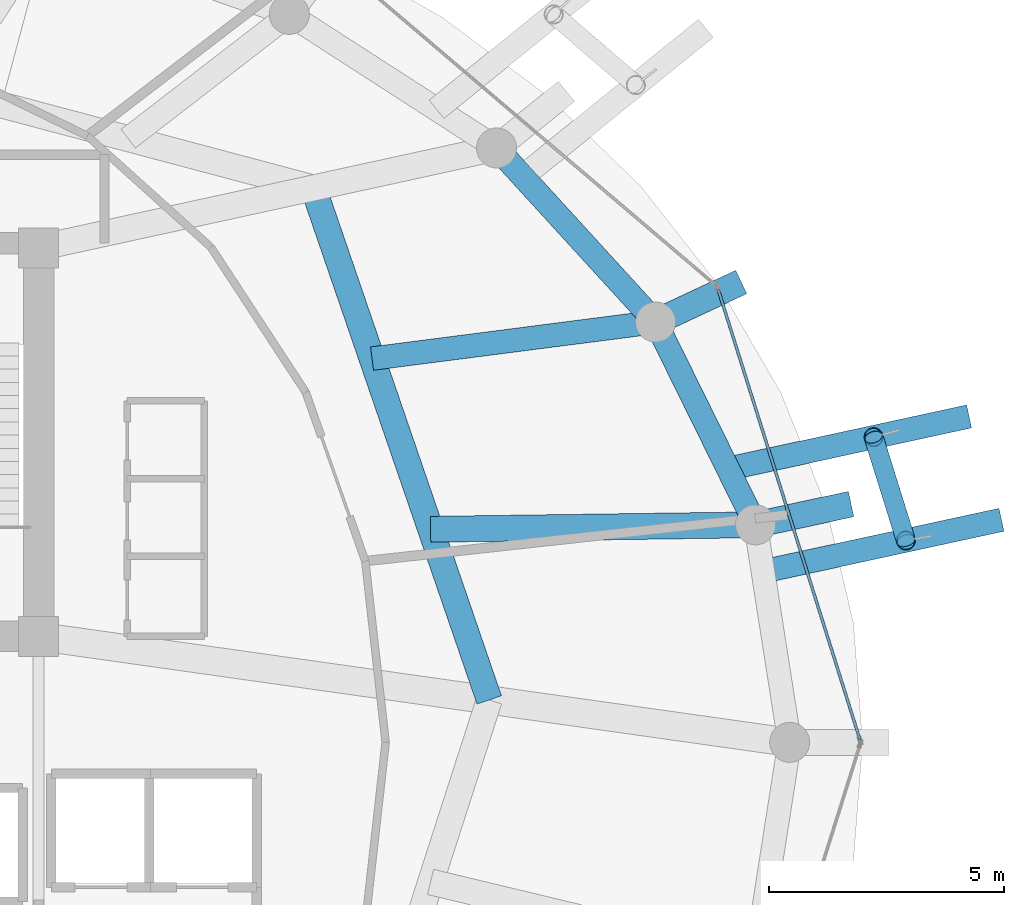
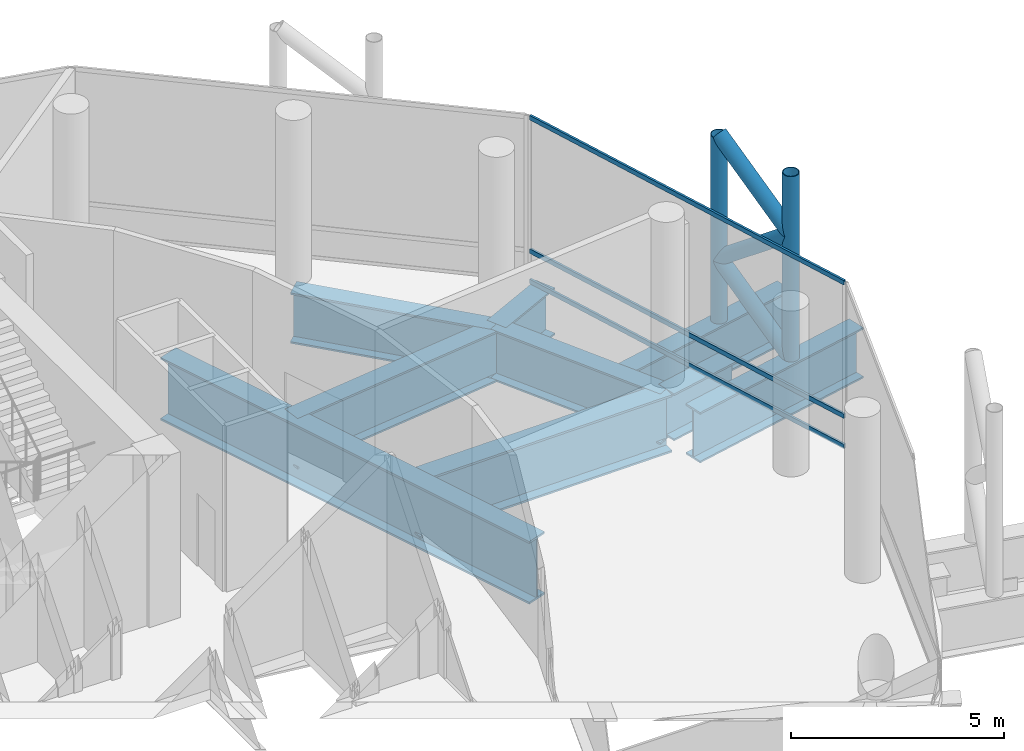
# One storey, part 15 of 31: 9 beams, 8 members, 1 element without a shape of its own.
"""IFC4 building model written with IfcOpenShell, lengths in metres."""

import ifcopenshell
import ifcopenshell.guid

model = None  # the IFC model being written
_history = None  # IfcOwnerHistory: only IFC2X3 demands one
_inside = {}  # id of a spatial element -> (the spatial element, [elements in it])
_under = {}  # id of a project, library or spatial element -> (it, [spatial elements below it])
_declared = {}  # id of a project -> (the project, [libraries it declares])
_typed = {}  # id of a type object -> (the type object, [elements of that type])
_made_of = {}  # id of a material, layer set ... -> (it, [elements and type objects made of it])


def new_model(schema):
    """Start an empty IFC model of exactly this schema.

    Asked for "IFC4X3", IfcOpenShell would pick the latest addendum, in which some entities
    have other attributes; the version numbers below select the first issue.
    IFC2X3 requires an IfcOwnerHistory on every rooted entity: one is made here for all.
    """
    global model, _history
    if schema == "IFC4X3":
        model = ifcopenshell.file(schema_version=(4, 3, 0, 0))
    else:
        model = ifcopenshell.file(schema=schema)
    _inside.clear()
    _under.clear()
    _declared.clear()
    _typed.clear()
    _made_of.clear()
    _history = None
    if model.schema == "IFC2X3":
        org = make("IfcOrganization", Name="unknown")
        user = make(
            "IfcPersonAndOrganization",
            ThePerson=make("IfcPerson", FamilyName="unknown"),
            TheOrganization=org,
        )
        app = make(
            "IfcApplication",
            ApplicationDeveloper=org,
            Version="unknown",
            ApplicationFullName="unknown",
            ApplicationIdentifier="unknown",
        )
        _history = make(
            "IfcOwnerHistory",
            OwningUser=user,
            OwningApplication=app,
            ChangeAction="ADDED",
            CreationDate=0,
        )
    return model


def make(cls, **values):
    """One entity of the class cls with the attributes given. An attribute that is None is left unset."""
    return model.create_entity(
        cls, **{name: value for name, value in values.items() if value is not None}
    )


def rooted(cls, **values):
    """An entity with a GlobalId (a new one), such as an element, a storey or a relation."""
    return make(cls, GlobalId=ifcopenshell.guid.new(), OwnerHistory=_history, **values)


def si_unit(unit_type, name, prefix=None):
    """IfcSIUnit, for example si_unit("LENGTHUNIT", "METRE", prefix="MILLI")."""
    return make("IfcSIUnit", UnitType=unit_type, Prefix=prefix, Name=name)


def assignment(units):
    """IfcUnitAssignment: the units of a project."""
    return None if units is None else make("IfcUnitAssignment", Units=units)


def point(xyz):
    """IfcCartesianPoint."""
    return None if xyz is None else make("IfcCartesianPoint", Coordinates=xyz)


def direction(xyz):
    """IfcDirection."""
    return None if xyz is None else make("IfcDirection", DirectionRatios=xyz)


def frame(location, z_axis=None, x_axis=None):
    """IfcAxis2Placement3D, a coordinate frame: its origin and axes. An axis left out is left unset."""
    return make(
        "IfcAxis2Placement3D",
        Location=point(location),
        Axis=direction(z_axis),
        RefDirection=direction(x_axis),
    )


def frame_2d(location, x_axis=None):
    """IfcAxis2Placement2D, a coordinate frame in the plane: its origin and x axis."""
    return make(
        "IfcAxis2Placement2D", Location=point(location), RefDirection=direction(x_axis)
    )


def origin():
    """The frame at (0, 0, 0) with its axes left unset."""
    return frame((0.0, 0.0, 0.0))


def origin_2d():
    """The frame at (0, 0) in the plane with its x axis left unset."""
    return frame_2d((0.0, 0.0))


def place(relative_to, where):
    """IfcLocalPlacement: puts the frame where relative to a parent placement (None: the world)."""
    return make(
        "IfcLocalPlacement", PlacementRelTo=relative_to, RelativePlacement=where
    )


def context(
    kind, dimensions, precision=None, world=None, true_north=None, identifier=None
):
    """IfcGeometricRepresentationContext, for example the 3D "Model" context."""
    return make(
        "IfcGeometricRepresentationContext",
        ContextIdentifier=identifier,
        ContextType=kind,
        CoordinateSpaceDimension=dimensions,
        Precision=precision,
        WorldCoordinateSystem=world,
        TrueNorth=true_north,
    )


def subcontext(parent, identifier, kind, view, scale=None):
    """IfcGeometricRepresentationSubContext, for example "Body" below "Model"."""
    return make(
        "IfcGeometricRepresentationSubContext",
        ContextIdentifier=identifier,
        ContextType=kind,
        ParentContext=parent,
        TargetScale=scale,
        TargetView=view,
    )


def project(units=None, contexts=None):
    """IfcProject with its units and contexts."""
    return rooted(
        "IfcProject",
        Name="project",
        RepresentationContexts=contexts,
        UnitsInContext=assignment(units),
    )


def spatial(cls, under=None, at=None, **own):
    """A site, building, storey or space (cls), placed at a placement, below another one or the project."""
    s = rooted(cls, ObjectPlacement=at, **own)
    if under is not None:
        _under.setdefault(under.id(), (under, []))[1].append(s)
    return s


def profile(cls, at=None, kind="AREA", **sizes):
    """A parametric profile (cls). Its sizes go by their IFC names, for example OverallWidth=200.0."""
    return make(cls, ProfileType=kind, Position=at, **sizes)


def hollow_rectangle(**sizes):
    """IfcRectangleHollowProfileDef."""
    return profile("IfcRectangleHollowProfileDef", **sizes)


def hollow_circle(**sizes):
    """IfcCircleHollowProfileDef."""
    return profile("IfcCircleHollowProfileDef", **sizes)


def i_section(**sizes):
    """IfcIShapeProfileDef."""
    return profile("IfcIShapeProfileDef", **sizes)


def extrude(swept, where, along, depth):
    """IfcExtrudedAreaSolid: the profile swept, set in the frame where, extruded along a direction by depth."""
    return make(
        "IfcExtrudedAreaSolid",
        SweptArea=swept,
        Position=where,
        ExtrudedDirection=direction(along),
        Depth=depth,
    )


def shape(context_of_items, identifier, shape_type, items):
    """IfcShapeRepresentation: the items that make up one representation, for example the "Body"."""
    return make(
        "IfcShapeRepresentation",
        ContextOfItems=context_of_items,
        RepresentationIdentifier=identifier,
        RepresentationType=shape_type,
        Items=items,
    )


def material(Name=None, Category=None):
    """IfcMaterial."""
    return make("IfcMaterial", Name=Name, Category=Category)


def layer(
    of_material, thickness, ventilated=None, Name=None, Category=None, Priority=None
):
    """IfcMaterialLayer: one layer of a wall or slab, of a material (None: an air gap)."""
    return make(
        "IfcMaterialLayer",
        Material=of_material,
        LayerThickness=thickness,
        IsVentilated=ventilated,
        Name=Name,
        Category=Category,
        Priority=Priority,
    )


def layer_set(layers, Name=None):
    """IfcMaterialLayerSet."""
    return make("IfcMaterialLayerSet", MaterialLayers=layers, LayerSetName=Name)


def material_profile(
    of_material, cross_section, Name=None, Category=None, Priority=None
):
    """IfcMaterialProfile: a cross section and its material."""
    return make(
        "IfcMaterialProfile",
        Name=Name,
        Material=of_material,
        Profile=cross_section,
        Priority=Priority,
        Category=Category,
    )


def profile_set(profiles, Name=None, composite=None):
    """IfcMaterialProfileSet."""
    return make(
        "IfcMaterialProfileSet",
        Name=Name,
        MaterialProfiles=profiles,
        CompositeProfile=composite,
    )


def made_of(thing, what):
    """Note that an element or type object is made of a material, layer set ...; save() writes the relation."""
    if what is not None:
        _made_of.setdefault(what.id(), (what, []))[1].append(thing)
    return thing


def type_object(cls, material=None, **own):
    """A type object (cls), such as IfcWallType, which elements share."""
    return made_of(rooted(cls, **own), material)


def element(
    cls,
    number,
    at=None,
    inside=None,
    cuts=None,
    type_object=None,
    material=None,
    context=None,
    identifier="Body",
    shape_type=None,
    held_by="IfcProductDefinitionShape",
    body=None,
    shapes=None,
    **own,
):
    """One element of the class cls, such as IfcWall. Its Tag is "e" and its number.

    at: its placement. inside: the storey or other place that contains it. cuts: it is an
    opening in that element (IfcRelVoidsElement). A single representation is given by context,
    identifier, shape_type and body (its items); several are given by shapes. held_by: the class
    of the entity that holds the representations. save() writes the other relations.
    """
    e = rooted(cls, Tag="e%d" % number, ObjectPlacement=at, **own)
    if body is not None:
        shapes = [shape(context, identifier, shape_type, body)]
    if shapes is not None:
        e.Representation = make(held_by, Representations=shapes)
    if inside is not None:
        _inside.setdefault(inside.id(), (inside, []))[1].append(e)
    if cuts is not None:
        rooted(
            "IfcRelVoidsElement", RelatingBuildingElement=cuts, RelatedOpeningElement=e
        )
    if type_object is not None:
        _typed.setdefault(type_object.id(), (type_object, []))[1].append(e)
    return made_of(e, material)


def aggregate(whole, parts):
    """IfcRelAggregates: a whole, such as a stair, and the parts it consists of."""
    return rooted("IfcRelAggregates", RelatingObject=whole, RelatedObjects=parts)


def save(model, path):
    """Write the relations noted so far, then the file.

    IfcRelAggregates (storeys below a building ...), IfcRelContainedInSpatialStructure (elements
    in a storey), IfcRelDefinesByType, IfcRelAssociatesMaterial and IfcRelDeclares: one each for
    every whole, place, type object, material and project.
    """
    for whole, parts in _under.values():
        aggregate(whole, parts)
    for where, things in _inside.values():
        rooted(
            "IfcRelContainedInSpatialStructure",
            RelatedElements=things,
            RelatingStructure=where,
        )
    for kind, things in _typed.values():
        rooted("IfcRelDefinesByType", RelatedObjects=things, RelatingType=kind)
    for what, things in _made_of.values():
        rooted("IfcRelAssociatesMaterial", RelatedObjects=things, RelatingMaterial=what)
    for by, libraries in _declared.values():
        rooted("IfcRelDeclares", RelatingContext=by, RelatedDefinitions=libraries)
    model.write(path)


model = new_model("IFC4")

# Units and contexts
model_context = context("Model", 3, precision=1e-05, world=origin(), true_north=direction((0.0, 1.0)))
body_context = subcontext(model_context, "Body", "Model", "MODEL_VIEW")
ifc_project = project(units=[si_unit("LENGTHUNIT", "METRE"), si_unit("AREAUNIT", "SQUARE_METRE"), si_unit("VOLUMEUNIT", "CUBIC_METRE"), si_unit("PLANEANGLEUNIT", "RADIAN"), si_unit("MASSUNIT", "GRAM", prefix="KILO")], contexts=[model_context])

# Site, building, storey
site_placement = place(None, origin())
site = spatial("IfcSite", under=ifc_project, at=site_placement, CompositionType="ELEMENT")
building_placement = place(site_placement, origin())
building = spatial("IfcBuilding", under=site, at=building_placement, Name="Nuhasar Tower", CompositionType="ELEMENT")
storey_placement = place(building_placement, frame((0.0, 0.0, 203.14990234375)))
storey = spatial("IfcBuildingStorey", under=building, at=storey_placement, Name="L49", CompositionType="ELEMENT", Elevation=203.14990234375)

# Beams
ifc_material_1 = material(Name="Steel S460", Category="steel")
ifc_material_profile_1 = material_profile(ifc_material_1, i_section(OverallWidth=0.550048828125, OverallDepth=1.35009765625, WebThickness=0.028076171875, FlangeThickness=0.050048828125, at=origin_2d()), Name="PG1350X550")
ifc_profile_set_1 = profile_set([ifc_material_profile_1], Name="Steel S460")
beam_type_1 = type_object("IfcBeamType", Name="BM-XFER-PG1350", PredefinedType="USERDEFINED", material=ifc_profile_set_1)
beam_1_placement = place(storey_placement, frame((59.52587890625, 31.419921875, -0.994873046875), z_axis=(0.977246385906, 0.212107287082, 0.0), x_axis=(-0.212107287082, 0.977246385906, 0.0)))
element("IfcBeam", 1, at=beam_1_placement, inside=storey, type_object=beam_type_1, Name="L49 Outer Column Step Transfer Girder 02", ObjectType="GIRDER", PredefinedType="USERDEFINED", context=body_context, shape_type="SweptSolid", body=[
    extrude(i_section(OverallWidth=0.550048828125, OverallDepth=1.35009765625, WebThickness=0.028076171875, FlangeThickness=0.050048828125, at=origin_2d()), origin(), (0.0, 0.0, 1.0), 2.0751953125),
])
beam_2_placement = place(storey_placement, frame((57.403076171875, 35.72509765625, -0.994873046875), z_axis=(0.905981096049, 0.423318147026, 0.0), x_axis=(-0.423318147026, 0.905981096049, 0.0)))
element("IfcBeam", 2, at=beam_2_placement, inside=storey, type_object=beam_type_1, Name="L49 Outer Column Step Transfer Girder 03", ObjectType="GIRDER", PredefinedType="USERDEFINED", context=body_context, shape_type="SweptSolid", body=[
    extrude(i_section(OverallWidth=0.550048828125, OverallDepth=1.35009765625, WebThickness=0.028076171875, FlangeThickness=0.050048828125, at=origin_2d()), origin(), (0.0, 0.0, 1.0), 2.007568359375),
])
ifc_material_profile_2 = material_profile(ifc_material_1, i_section(OverallWidth=0.5, OverallDepth=1.449951171875, WebThickness=0.028076171875, FlangeThickness=0.050048828125, at=origin_2d()), Name="PG1450X500")
ifc_profile_set_2 = profile_set([ifc_material_profile_2], Name="Steel S460")
beam_type_2 = type_object("IfcBeamType", Name="BM-XFER-PG1450", PredefinedType="USERDEFINED", material=ifc_profile_set_2)
beam_3_placement = place(storey_placement, frame((59.52587890625, 31.419921875, -1.044921875), z_axis=(-0.442242604409, 0.896895467067, 0.0), x_axis=(-0.896895467067, -0.442242604409, 0.0)))
element("IfcBeam", 3, at=beam_3_placement, inside=storey, type_object=beam_type_2, Name="L49 Perimeter Ring Spandrel 02", ObjectType="GIRDER", PredefinedType="USERDEFINED", context=body_context, shape_type="SweptSolid", body=[
    extrude(i_section(OverallWidth=0.5, OverallDepth=1.449951171875, WebThickness=0.028076171875, FlangeThickness=0.050048828125, at=origin_2d()), origin(), (0.0, 0.0, 1.0), 4.800048828125),
])
beam_4_placement = place(storey_placement, frame((57.403076171875, 35.72509765625, -1.044921875), z_axis=(-0.674449692975, 0.738320805373, 0.0), x_axis=(-0.738320805373, -0.674449692975, 0.0)))
element("IfcBeam", 4, at=beam_4_placement, inside=storey, type_object=beam_type_2, Name="L49 Perimeter Ring Spandrel 03", ObjectType="GIRDER", PredefinedType="USERDEFINED", context=body_context, shape_type="SweptSolid", body=[
    extrude(i_section(OverallWidth=0.5, OverallDepth=1.449951171875, WebThickness=0.028076171875, FlangeThickness=0.050048828125, at=origin_2d()), origin(), (0.0, 0.0, 1.0), 5.00732421875),
])
beam_5_placement = place(storey_placement, frame((51.381103515625, 34.948974609375, -1.044921875), z_axis=(0.991796787378, 0.127824616358, 0.0), x_axis=(-0.127824616358, 0.991796787378, 0.0)))
element("IfcBeam", 5, at=beam_5_placement, inside=storey, type_object=beam_type_2, Name="L49 Inner Column Transfer Girder 03", ObjectType="GIRDER", PredefinedType="USERDEFINED", context=body_context, shape_type="SweptSolid", body=[
    extrude(i_section(OverallWidth=0.5, OverallDepth=1.449951171875, WebThickness=0.028076171875, FlangeThickness=0.050048828125, at=origin_2d()), origin(), (0.0, 0.0, 1.0), 6.07177734375),
])
beam_6_placement = place(storey_placement, frame((59.680908203125, 30.427978515625, -1.044921875), z_axis=(0.977322327933, 0.211757095096, 0.0), x_axis=(-0.211757095096, 0.977322327933, 0.0)))
element("IfcBeam", 6, at=beam_6_placement, inside=storey, type_object=beam_type_2, Name="L49 Exoskeleton Step Transfer Girder 01", ObjectType="GIRDER", PredefinedType="USERDEFINED", context=body_context, shape_type="SweptSolid", body=[
    extrude(i_section(OverallWidth=0.5, OverallDepth=1.449951171875, WebThickness=0.028076171875, FlangeThickness=0.050048828125, at=origin_2d()), origin(), (0.0, 0.0, 1.0), 5.184814453125),
])
beam_7_placement = place(storey_placement, frame((58.93896484375, 32.60888671875, -1.044921875), z_axis=(0.977224692322, 0.212207211743, 0.0), x_axis=(-0.212207211743, 0.977224692322, 0.0)))
element("IfcBeam", 7, at=beam_7_placement, inside=storey, type_object=beam_type_2, Name="L49 Exoskeleton Step Transfer Girder 02", ObjectType="GIRDER", PredefinedType="USERDEFINED", context=body_context, shape_type="SweptSolid", body=[
    extrude(i_section(OverallWidth=0.5, OverallDepth=1.449951171875, WebThickness=0.028076171875, FlangeThickness=0.050048828125, at=origin_2d()), origin(), (0.0, 0.0, 1.0), 5.240478515625),
])
ifc_material_profile_3 = material_profile(ifc_material_1, i_section(OverallWidth=0.550048828125, OverallDepth=1.64990234375, WebThickness=0.031982421875, FlangeThickness=0.054931640625, at=origin_2d()), Name="PG1650X550")
ifc_profile_set_3 = profile_set([ifc_material_profile_3], Name="Steel S460")
beam_type_3 = type_object("IfcBeamType", Name="BM-XFER-PG1650", PredefinedType="USERDEFINED", material=ifc_profile_set_3)
beam_8_placement = place(storey_placement, frame((52.625, 31.323974609375, -1.14501953125), z_axis=(0.99990335855, 0.013902286136, 0.0), x_axis=(-0.013902286136, 0.99990335855, 0.0)))
element("IfcBeam", 8, at=beam_8_placement, inside=storey, type_object=beam_type_3, Name="L49 Inner Column Transfer Girder 02", ObjectType="GIRDER", PredefinedType="USERDEFINED", context=body_context, shape_type="SweptSolid", body=[
    extrude(i_section(OverallWidth=0.550048828125, OverallDepth=1.64990234375, WebThickness=0.031982421875, FlangeThickness=0.054931640625, at=origin_2d()), origin(), (0.0, 0.0, 1.0), 6.901611328125),
])
ifc_material_profile_4 = material_profile(ifc_material_1, i_section(OverallWidth=0.550048828125, OverallDepth=1.800048828125, WebThickness=0.031982421875, FlangeThickness=0.054931640625, at=origin_2d()), Name="PG1800X550")
ifc_profile_set_4 = profile_set([ifc_material_profile_4], Name="Steel S460")
beam_type_4 = type_object("IfcBeamType", Name="BM-XFER-PG1800", PredefinedType="USERDEFINED", material=ifc_profile_set_4)
beam_9_placement = place(storey_placement, frame((53.8701171875, 27.699951171875, -1.219970703125), z_axis=(-0.324809117642, 0.945779592239, 0.0), x_axis=(-0.945779592239, -0.324809117642, 0.0)))
element("IfcBeam", 9, at=beam_9_placement, inside=storey, type_object=beam_type_4, Name="L49 Inner Header Beam 04", ObjectType="GIRDER", PredefinedType="USERDEFINED", context=body_context, shape_type="SweptSolid", body=[
    extrude(i_section(OverallWidth=0.550048828125, OverallDepth=1.800048828125, WebThickness=0.031982421875, FlangeThickness=0.054931640625, at=origin_2d()), origin(), (0.0, 0.0, 1.0), 11.496337890625),
])

# Curtain wall, members
ifc_material_2 = material(Name="Aluminium 6063-T6", Category="aluminium")
ifc_layer = layer(ifc_material_2, 0.239990234375)
ifc_layer_set = layer_set([ifc_layer], Name="Aluminium 6063-T6")
curtain_wall_type = type_object("IfcCurtainWallType", Name="CW-SKY-LBY", PredefinedType="NOTDEFINED", material=ifc_layer_set)
curtain_wall_placement = place(storey_placement, origin())
curtain_wall = element("IfcCurtainWall", 10, at=curtain_wall_placement, inside=storey, type_object=curtain_wall_type, Name="L49 Unitised Curtain Wall 01", PredefinedType="NOTDEFINED")
ifc_material_profile_5 = material_profile(ifc_material_2, hollow_rectangle(XDim=0.06005859375, YDim=0.1298828125, WallThickness=0.00439453125, at=origin_2d()), Name="CWT-6")
ifc_profile_set_5 = profile_set([ifc_material_profile_5], Name="Aluminium 6063-T6")
member_type_1 = type_object("IfcMemberType", Name="CW-TRN-S6", PredefinedType="USERDEFINED", material=ifc_profile_set_5)
member_1_placement = place(storey_placement, frame((61.741943359375, 26.857177734375, 0.030029296875), z_axis=(-0.300424094991, 0.953805726104, 0.0), x_axis=(-0.953805726104, -0.300424094991, 0.0)))
member_1 = element("IfcMember", 11, at=member_1_placement, type_object=member_type_1, Name="CW-SL transom 1.1", ObjectType="TRANSOM", PredefinedType="USERDEFINED", context=body_context, shape_type="SweptSolid", body=[
    extrude(hollow_rectangle(XDim=0.06005859375, YDim=0.1298828125, WallThickness=0.00439453125, at=origin_2d()), origin(), (0.0, 0.0, 1.0), 10.029052734375),
])
member_2_placement = place(storey_placement, frame((61.741943359375, 26.857177734375, 0.900146484375), z_axis=(-0.300424094991, 0.953805726104, 0.0), x_axis=(-0.953805726104, -0.300424094991, 0.0)))
member_2 = element("IfcMember", 12, at=member_2_placement, type_object=member_type_1, Name="CW-SL transom 1.2", ObjectType="TRANSOM", PredefinedType="USERDEFINED", context=body_context, shape_type="SweptSolid", body=[
    extrude(hollow_rectangle(XDim=0.06005859375, YDim=0.1298828125, WallThickness=0.00439453125, at=origin_2d()), origin(), (0.0, 0.0, 1.0), 10.029052734375),
])
member_3_placement = place(storey_placement, frame((61.741943359375, 26.857177734375, 4.72998046875), z_axis=(-0.300424094991, 0.953805726104, 0.0), x_axis=(-0.953805726104, -0.300424094991, 0.0)))
member_3 = element("IfcMember", 13, at=member_3_placement, type_object=member_type_1, Name="CW-SL transom 1.3", ObjectType="TRANSOM", PredefinedType="USERDEFINED", context=body_context, shape_type="SweptSolid", body=[
    extrude(hollow_rectangle(XDim=0.06005859375, YDim=0.1298828125, WallThickness=0.00439453125, at=origin_2d()), origin(), (0.0, 0.0, 1.0), 10.029052734375),
])
aggregate(curtain_wall, [member_1, member_2, member_3])

# Members
ifc_material_profile_6 = material_profile(ifc_material_1, hollow_circle(Radius=0.203125, WallThickness=0.01904296875, at=origin_2d()), Name="HSS406.4X19.1")
ifc_profile_set_6 = profile_set([ifc_material_profile_6], Name="Steel S460")
member_type_2 = type_object("IfcMemberType", Name="EXO-BRONZE-406", PredefinedType="BRACE", material=ifc_profile_set_6)
for number, where, z_axis, x_axis, name in (
    (14, (62.718017578125, 31.0859375, -0.31982421875), (0.0, 0.0, 1.0), (1.0, 0.0, 0.0), "L49 Exoskeleton Chord Column EC-01A"),
    (15, (62.032958984375, 33.281005859375, -0.31982421875), (0.0, 0.0, 1.0), (1.0, 0.0, 0.0), "L49 Exoskeleton Chord Column EC-01B"),
):
    element("IfcMember", number, at=place(storey_placement, frame(where, z_axis=z_axis, x_axis=x_axis)), inside=storey, type_object=member_type_2, Name=name, PredefinedType="BRACE", context=body_context, shape_type="SweptSolid", body=[
        extrude(hollow_circle(Radius=0.203125, WallThickness=0.01904296875, at=origin_2d()), origin(), (0.0, 0.0, 1.0), 5.31982421875),
    ])
member_4_placement = place(storey_placement, frame((62.718017578125, 31.0859375, -0.31982421875), z_axis=(-0.235933009195, 0.755977792472, 0.610600681674), x_axis=(-0.954591372974, -0.297918295247, 0.0)))
element("IfcMember", 16, at=member_4_placement, inside=storey, type_object=member_type_2, Name="L49 Bronze Diagrid Brace W1-01", PredefinedType="BRACE", context=body_context, shape_type="SweptSolid", body=[
    extrude(hollow_circle(Radius=0.203125, WallThickness=0.01904296875, at=origin_2d()), origin(), (0.0, 0.0, 1.0), 2.903564453125),
])
member_5_placement = place(storey_placement, frame((62.032958984375, 33.281005859375, 1.453125), z_axis=(0.235884559303, -0.75582254907, 0.610811549498), x_axis=(0.954591372974, 0.297918295247, 0.0)))
element("IfcMember", 17, at=member_5_placement, inside=storey, type_object=member_type_2, Name="L49 Bronze Diagrid Brace W2-01", PredefinedType="BRACE", context=body_context, shape_type="SweptSolid", body=[
    extrude(hollow_circle(Radius=0.203125, WallThickness=0.01904296875, at=origin_2d()), origin(), (0.0, 0.0, 1.0), 2.904296875),
])
member_6_placement = place(storey_placement, frame((62.718017578125, 31.0859375, 3.22705078125), z_axis=(-0.235933009195, 0.755977792472, 0.610600681674), x_axis=(-0.954591372974, -0.297918295247, 0.0)))
element("IfcMember", 18, at=member_6_placement, inside=storey, type_object=member_type_2, Name="L49 Bronze Diagrid Brace W3-01", PredefinedType="BRACE", context=body_context, shape_type="SweptSolid", body=[
    extrude(hollow_circle(Radius=0.203125, WallThickness=0.01904296875, at=origin_2d()), origin(), (0.0, 0.0, 1.0), 2.903564453125),
])

save(model, "model.ifc")
